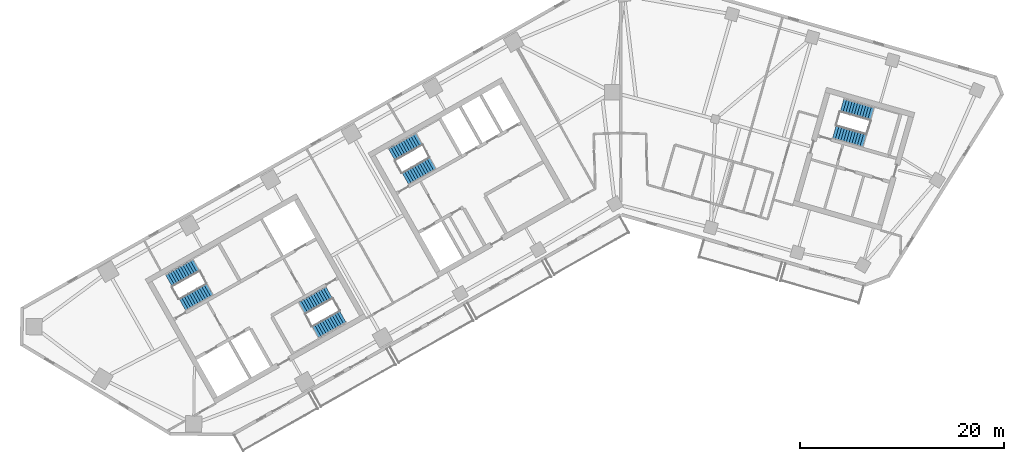
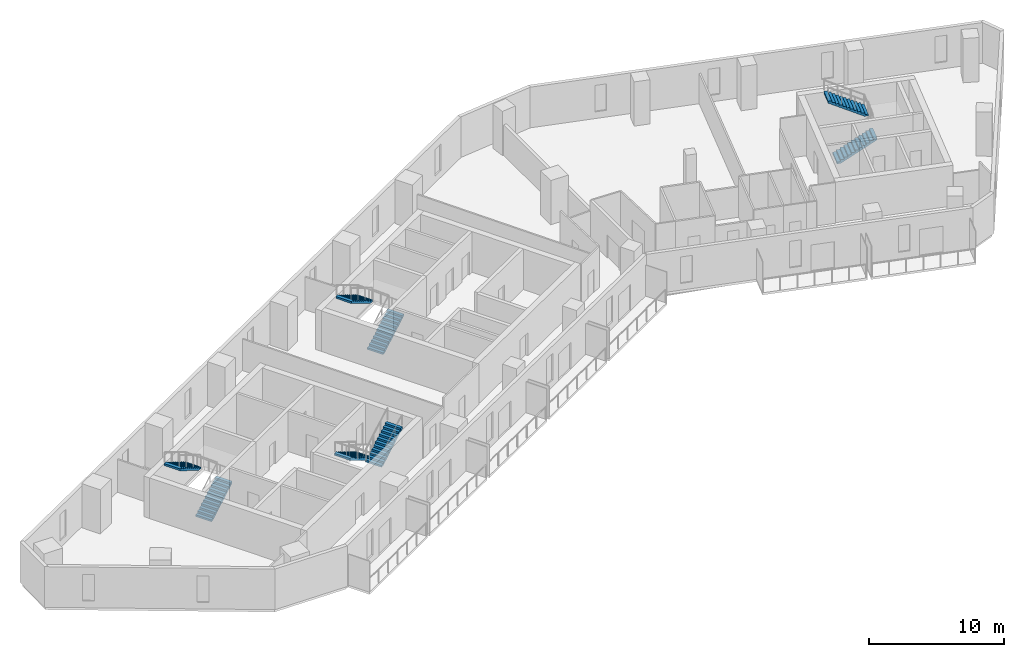
# One storey, part 7 of 9: 8 stair flights, 4 elements without a shape of their own.
"""IFC4 building model written with IfcOpenShell, lengths in metres."""

import ifcopenshell
import ifcopenshell.guid

model = None  # the IFC model being written
_history = None  # IfcOwnerHistory: only IFC2X3 demands one
_inside = {}  # id of a spatial element -> (the spatial element, [elements in it])
_under = {}  # id of a project, library or spatial element -> (it, [spatial elements below it])
_declared = {}  # id of a project -> (the project, [libraries it declares])
_typed = {}  # id of a type object -> (the type object, [elements of that type])
_made_of = {}  # id of a material, layer set ... -> (it, [elements and type objects made of it])


def new_model(schema):
    """Start an empty IFC model of exactly this schema.

    Asked for "IFC4X3", IfcOpenShell would pick the latest addendum, in which some entities
    have other attributes; the version numbers below select the first issue.
    IFC2X3 requires an IfcOwnerHistory on every rooted entity: one is made here for all.
    """
    global model, _history
    if schema == "IFC4X3":
        model = ifcopenshell.file(schema_version=(4, 3, 0, 0))
    else:
        model = ifcopenshell.file(schema=schema)
    _inside.clear()
    _under.clear()
    _declared.clear()
    _typed.clear()
    _made_of.clear()
    _history = None
    if model.schema == "IFC2X3":
        org = make("IfcOrganization", Name="unknown")
        user = make(
            "IfcPersonAndOrganization",
            ThePerson=make("IfcPerson", FamilyName="unknown"),
            TheOrganization=org,
        )
        app = make(
            "IfcApplication",
            ApplicationDeveloper=org,
            Version="unknown",
            ApplicationFullName="unknown",
            ApplicationIdentifier="unknown",
        )
        _history = make(
            "IfcOwnerHistory",
            OwningUser=user,
            OwningApplication=app,
            ChangeAction="ADDED",
            CreationDate=0,
        )
    return model


def make(cls, **values):
    """One entity of the class cls with the attributes given. An attribute that is None is left unset."""
    return model.create_entity(
        cls, **{name: value for name, value in values.items() if value is not None}
    )


def rooted(cls, **values):
    """An entity with a GlobalId (a new one), such as an element, a storey or a relation."""
    return make(cls, GlobalId=ifcopenshell.guid.new(), OwnerHistory=_history, **values)


def si_unit(unit_type, name, prefix=None):
    """IfcSIUnit, for example si_unit("LENGTHUNIT", "METRE", prefix="MILLI")."""
    return make("IfcSIUnit", UnitType=unit_type, Prefix=prefix, Name=name)


def assignment(units):
    """IfcUnitAssignment: the units of a project."""
    return None if units is None else make("IfcUnitAssignment", Units=units)


def point(xyz):
    """IfcCartesianPoint."""
    return None if xyz is None else make("IfcCartesianPoint", Coordinates=xyz)


def direction(xyz):
    """IfcDirection."""
    return None if xyz is None else make("IfcDirection", DirectionRatios=xyz)


def frame(location, z_axis=None, x_axis=None):
    """IfcAxis2Placement3D, a coordinate frame: its origin and axes. An axis left out is left unset."""
    return make(
        "IfcAxis2Placement3D",
        Location=point(location),
        Axis=direction(z_axis),
        RefDirection=direction(x_axis),
    )


def origin():
    """The frame at (0, 0, 0) with its axes left unset."""
    return frame((0.0, 0.0, 0.0))


def place(relative_to, where):
    """IfcLocalPlacement: puts the frame where relative to a parent placement (None: the world)."""
    return make(
        "IfcLocalPlacement", PlacementRelTo=relative_to, RelativePlacement=where
    )


def context(
    kind, dimensions, precision=None, world=None, true_north=None, identifier=None
):
    """IfcGeometricRepresentationContext, for example the 3D "Model" context."""
    return make(
        "IfcGeometricRepresentationContext",
        ContextIdentifier=identifier,
        ContextType=kind,
        CoordinateSpaceDimension=dimensions,
        Precision=precision,
        WorldCoordinateSystem=world,
        TrueNorth=true_north,
    )


def subcontext(parent, identifier, kind, view, scale=None):
    """IfcGeometricRepresentationSubContext, for example "Body" below "Model"."""
    return make(
        "IfcGeometricRepresentationSubContext",
        ContextIdentifier=identifier,
        ContextType=kind,
        ParentContext=parent,
        TargetScale=scale,
        TargetView=view,
    )


def project(units=None, contexts=None):
    """IfcProject with its units and contexts."""
    return rooted(
        "IfcProject",
        Name="project",
        RepresentationContexts=contexts,
        UnitsInContext=assignment(units),
    )


def spatial(cls, under=None, at=None, **own):
    """A site, building, storey or space (cls), placed at a placement, below another one or the project."""
    s = rooted(cls, ObjectPlacement=at, **own)
    if under is not None:
        _under.setdefault(under.id(), (under, []))[1].append(s)
    return s


def polyline(points):
    """IfcPolyline through the points."""
    return make("IfcPolyline", Points=[point(p) for p in points])


def outline(outer, holes=None, kind="AREA"):
    """IfcArbitraryClosedProfileDef: a profile drawn as a closed curve; with holes, ...WithVoids."""
    if holes is None:
        return make("IfcArbitraryClosedProfileDef", ProfileType=kind, OuterCurve=outer)
    return make(
        "IfcArbitraryProfileDefWithVoids",
        ProfileType=kind,
        OuterCurve=outer,
        InnerCurves=holes,
    )


def extrude(swept, where, along, depth):
    """IfcExtrudedAreaSolid: the profile swept, set in the frame where, extruded along a direction by depth."""
    return make(
        "IfcExtrudedAreaSolid",
        SweptArea=swept,
        Position=where,
        ExtrudedDirection=direction(along),
        Depth=depth,
    )


def shape(context_of_items, identifier, shape_type, items):
    """IfcShapeRepresentation: the items that make up one representation, for example the "Body"."""
    return make(
        "IfcShapeRepresentation",
        ContextOfItems=context_of_items,
        RepresentationIdentifier=identifier,
        RepresentationType=shape_type,
        Items=items,
    )


def material(Name=None, Category=None):
    """IfcMaterial."""
    return make("IfcMaterial", Name=Name, Category=Category)


def made_of(thing, what):
    """Note that an element or type object is made of a material, layer set ...; save() writes the relation."""
    if what is not None:
        _made_of.setdefault(what.id(), (what, []))[1].append(thing)
    return thing


def type_object(cls, material=None, **own):
    """A type object (cls), such as IfcWallType, which elements share."""
    return made_of(rooted(cls, **own), material)


def element(
    cls,
    number,
    at=None,
    inside=None,
    cuts=None,
    type_object=None,
    material=None,
    context=None,
    identifier="Body",
    shape_type=None,
    held_by="IfcProductDefinitionShape",
    body=None,
    shapes=None,
    **own,
):
    """One element of the class cls, such as IfcWall. Its Tag is "e" and its number.

    at: its placement. inside: the storey or other place that contains it. cuts: it is an
    opening in that element (IfcRelVoidsElement). A single representation is given by context,
    identifier, shape_type and body (its items); several are given by shapes. held_by: the class
    of the entity that holds the representations. save() writes the other relations.
    """
    e = rooted(cls, Tag="e%d" % number, ObjectPlacement=at, **own)
    if body is not None:
        shapes = [shape(context, identifier, shape_type, body)]
    if shapes is not None:
        e.Representation = make(held_by, Representations=shapes)
    if inside is not None:
        _inside.setdefault(inside.id(), (inside, []))[1].append(e)
    if cuts is not None:
        rooted(
            "IfcRelVoidsElement", RelatingBuildingElement=cuts, RelatedOpeningElement=e
        )
    if type_object is not None:
        _typed.setdefault(type_object.id(), (type_object, []))[1].append(e)
    return made_of(e, material)


def aggregate(whole, parts):
    """IfcRelAggregates: a whole, such as a stair, and the parts it consists of."""
    return rooted("IfcRelAggregates", RelatingObject=whole, RelatedObjects=parts)


def save(model, path):
    """Write the relations noted so far, then the file.

    IfcRelAggregates (storeys below a building ...), IfcRelContainedInSpatialStructure (elements
    in a storey), IfcRelDefinesByType, IfcRelAssociatesMaterial and IfcRelDeclares: one each for
    every whole, place, type object, material and project.
    """
    for whole, parts in _under.values():
        aggregate(whole, parts)
    for where, things in _inside.values():
        rooted(
            "IfcRelContainedInSpatialStructure",
            RelatedElements=things,
            RelatingStructure=where,
        )
    for kind, things in _typed.values():
        rooted("IfcRelDefinesByType", RelatedObjects=things, RelatingType=kind)
    for what, things in _made_of.values():
        rooted("IfcRelAssociatesMaterial", RelatedObjects=things, RelatingMaterial=what)
    for by, libraries in _declared.values():
        rooted("IfcRelDeclares", RelatingContext=by, RelatedDefinitions=libraries)
    model.write(path)


model = new_model("IFC4")

# Units and contexts
model_context = context("Model", 3, precision=1e-05, world=origin(), true_north=direction((0.0, 1.0)))
body_context = subcontext(model_context, "Body", "Model", "MODEL_VIEW")
ifc_project = project(units=[si_unit("LENGTHUNIT", "METRE"), si_unit("AREAUNIT", "SQUARE_METRE"), si_unit("VOLUMEUNIT", "CUBIC_METRE"), si_unit("PLANEANGLEUNIT", "RADIAN"), si_unit("MASSUNIT", "GRAM", prefix="KILO")], contexts=[model_context])

# Site, building, storey
site_placement = place(None, origin())
site = spatial("IfcSite", under=ifc_project, at=site_placement, CompositionType="ELEMENT")
building_placement = place(site_placement, origin())
building = spatial("IfcBuilding", under=site, at=building_placement, Name="Binnacle Exchange Tower", CompositionType="ELEMENT")
storey_placement = place(building_placement, frame((0.0, 0.0, 158.89990234375)))
storey = spatial("IfcBuildingStorey", under=building, at=storey_placement, Name="L33", CompositionType="ELEMENT", Elevation=158.89990234375)

# Stair, stair flights
ifc_material = material(Name="Concrete C35/45", Category="concrete")
stair_type = type_object("IfcStairType", Name="STAIR 24 RISERS 167", PredefinedType="HALF_TURN_STAIR", material=ifc_material)
stair_1_placement = place(storey_placement, origin())
stair_1 = element("IfcStair", 1, at=stair_1_placement, inside=storey, type_object=stair_type, Name="L33 Escape stair A1", PredefinedType="HALF_TURN_STAIR")
stair_flight_type = type_object("IfcStairFlightType", Name="STAIR FLIGHT 167X280", PredefinedType="STRAIGHT", material=ifc_material)
stair_flight_1_placement = place(storey_placement, frame((-42.9541015625, 39.17333984375, 0.0), z_axis=(0.0, 0.0, 1.0), x_axis=(0.870355584213, 0.492423757581, 0.0)))
stair_flight_1 = element("IfcStairFlight", 2, at=stair_flight_1_placement, type_object=stair_flight_type, Name="STA1 flight 1", NumberOfRisers=12, NumberOfTreads=11, PredefinedType="STRAIGHT", RiserHeight=0.166666667, TreadLength=0.28, context=body_context, shape_type="SweptSolid", body=[
    extrude(outline(polyline([(0.0, 0.0), (0.0, 0.166748046875), (0.280029296875, 0.166748046875), (0.280029296875, 0.333251953125), (0.56005859375, 0.333251953125), (0.56005859375, 0.5), (0.840087890625, 0.5), (0.840087890625, 0.666748046875), (1.1201171875, 0.666748046875), (1.1201171875, 0.833251953125), (1.39990234375, 0.833251953125), (1.39990234375, 1.0), (1.679931640625, 1.0), (1.679931640625, 1.166748046875), (1.9599609375, 1.166748046875), (1.9599609375, 1.333251953125), (2.239990234375, 1.333251953125), (2.239990234375, 1.5), (2.52001953125, 1.5), (2.52001953125, 1.666748046875), (2.800048828125, 1.666748046875), (2.800048828125, 1.833251953125), (3.080078125, 1.833251953125), (3.080078125, 2.0), (3.080078125, 1.658935546875), (0.29296875, 0.0), (0.0, 0.0)])), frame((0.0, 0.675048828125, 0.0), z_axis=(0.0, -1.0, 0.0), x_axis=(1.0, 0.0, 0.0)), (0.0, 0.0, 1.0), 1.35009765625),
])
stair_flight_2_placement = place(storey_placement, frame((-41.602783203125, 43.0400390625, 2.0), z_axis=(0.0, 0.0, 1.0), x_axis=(-0.870355584213, -0.492423757581, 0.0)))
stair_flight_2 = element("IfcStairFlight", 3, at=stair_flight_2_placement, type_object=stair_flight_type, Name="STA1 flight 2", NumberOfRisers=12, NumberOfTreads=11, PredefinedType="STRAIGHT", RiserHeight=0.166666667, TreadLength=0.28, context=body_context, shape_type="SweptSolid", body=[
    extrude(outline(polyline([(0.0, 0.0), (0.0, 0.166748046875), (0.280029296875, 0.166748046875), (0.280029296875, 0.333251953125), (0.56005859375, 0.333251953125), (0.56005859375, 0.5), (0.840087890625, 0.5), (0.840087890625, 0.666748046875), (1.1201171875, 0.666748046875), (1.1201171875, 0.833251953125), (1.39990234375, 0.833251953125), (1.39990234375, 1.0), (1.679931640625, 1.0), (1.679931640625, 1.166748046875), (1.9599609375, 1.166748046875), (1.9599609375, 1.333251953125), (2.239990234375, 1.333251953125), (2.239990234375, 1.5), (2.52001953125, 1.5), (2.52001953125, 1.666748046875), (2.800048828125, 1.666748046875), (2.800048828125, 1.833251953125), (3.080078125, 1.833251953125), (3.080078125, 2.0), (3.080078125, 1.658935546875), (0.29296875, 0.0), (0.0, 0.0)])), frame((0.0, 0.675048828125, 0.0), z_axis=(0.0, -1.0, 0.0), x_axis=(1.0, 0.0, 0.0)), (0.0, 0.0, 1.0), 1.35009765625),
])
aggregate(stair_1, [stair_flight_1, stair_flight_2])

stair_2_placement = place(storey_placement, origin())
stair_2 = element("IfcStair", 4, at=stair_2_placement, inside=storey, type_object=stair_type, Name="L33 Escape stair A2", PredefinedType="HALF_TURN_STAIR")
stair_flight_3_placement = place(storey_placement, frame((-28.5732421875, 40.3583984375, 0.0), z_axis=(0.0, 0.0, 1.0), x_axis=(-0.870355584213, -0.492423757581, 0.0)))
stair_flight_3 = element("IfcStairFlight", 5, at=stair_flight_3_placement, type_object=stair_flight_type, Name="STA2 flight 1", NumberOfRisers=12, NumberOfTreads=11, PredefinedType="STRAIGHT", RiserHeight=0.166666667, TreadLength=0.28, context=body_context, shape_type="SweptSolid", body=[
    extrude(outline(polyline([(0.0, 0.0), (0.0, 0.166748046875), (0.280029296875, 0.166748046875), (0.280029296875, 0.333251953125), (0.56005859375, 0.333251953125), (0.56005859375, 0.5), (0.840087890625, 0.5), (0.840087890625, 0.666748046875), (1.1201171875, 0.666748046875), (1.1201171875, 0.833251953125), (1.39990234375, 0.833251953125), (1.39990234375, 1.0), (1.679931640625, 1.0), (1.679931640625, 1.166748046875), (1.9599609375, 1.166748046875), (1.9599609375, 1.333251953125), (2.239990234375, 1.333251953125), (2.239990234375, 1.5), (2.52001953125, 1.5), (2.52001953125, 1.666748046875), (2.800048828125, 1.666748046875), (2.800048828125, 1.833251953125), (3.080078125, 1.833251953125), (3.080078125, 2.0), (3.080078125, 1.658935546875), (0.29296875, 0.0), (0.0, 0.0)])), frame((0.0, 0.675048828125, 0.0), z_axis=(0.0, -1.0, 0.0), x_axis=(1.0, 0.0, 0.0)), (0.0, 0.0, 1.0), 1.35009765625),
])
stair_flight_4_placement = place(storey_placement, frame((-29.92431640625, 36.49169921875, 2.0), z_axis=(0.0, 0.0, 1.0), x_axis=(0.870355584213, 0.492423757581, 0.0)))
stair_flight_4 = element("IfcStairFlight", 6, at=stair_flight_4_placement, type_object=stair_flight_type, Name="STA2 flight 2", NumberOfRisers=12, NumberOfTreads=11, PredefinedType="STRAIGHT", RiserHeight=0.166666667, TreadLength=0.28, context=body_context, shape_type="SweptSolid", body=[
    extrude(outline(polyline([(0.0, 0.0), (0.0, 0.166748046875), (0.280029296875, 0.166748046875), (0.280029296875, 0.333251953125), (0.56005859375, 0.333251953125), (0.56005859375, 0.5), (0.840087890625, 0.5), (0.840087890625, 0.666748046875), (1.1201171875, 0.666748046875), (1.1201171875, 0.833251953125), (1.39990234375, 0.833251953125), (1.39990234375, 1.0), (1.679931640625, 1.0), (1.679931640625, 1.166748046875), (1.9599609375, 1.166748046875), (1.9599609375, 1.333251953125), (2.239990234375, 1.333251953125), (2.239990234375, 1.5), (2.52001953125, 1.5), (2.52001953125, 1.666748046875), (2.800048828125, 1.666748046875), (2.800048828125, 1.833251953125), (3.080078125, 1.833251953125), (3.080078125, 2.0), (3.080078125, 1.658935546875), (0.29296875, 0.0), (0.0, 0.0)])), frame((0.0, 0.675048828125, 0.0), z_axis=(0.0, -1.0, 0.0), x_axis=(1.0, 0.0, 0.0)), (0.0, 0.0, 1.0), 1.35009765625),
])
aggregate(stair_2, [stair_flight_3, stair_flight_4])

stair_3_placement = place(storey_placement, origin())
stair_3 = element("IfcStair", 7, at=stair_3_placement, inside=storey, type_object=stair_type, Name="L33 Escape stair C1", PredefinedType="HALF_TURN_STAIR")
stair_flight_5_placement = place(storey_placement, frame((-21.115966796875, 51.528564453125, 0.0), z_axis=(0.0, 0.0, 1.0), x_axis=(0.870355584213, 0.492423757581, 0.0)))
stair_flight_5 = element("IfcStairFlight", 8, at=stair_flight_5_placement, type_object=stair_flight_type, Name="STC1 flight 1", NumberOfRisers=12, NumberOfTreads=11, PredefinedType="STRAIGHT", RiserHeight=0.166666667, TreadLength=0.28, context=body_context, shape_type="SweptSolid", body=[
    extrude(outline(polyline([(0.0, 0.0), (0.0, 0.166748046875), (0.280029296875, 0.166748046875), (0.280029296875, 0.333251953125), (0.56005859375, 0.333251953125), (0.56005859375, 0.5), (0.840087890625, 0.5), (0.840087890625, 0.666748046875), (1.1201171875, 0.666748046875), (1.1201171875, 0.833251953125), (1.39990234375, 0.833251953125), (1.39990234375, 1.0), (1.679931640625, 1.0), (1.679931640625, 1.166748046875), (1.9599609375, 1.166748046875), (1.9599609375, 1.333251953125), (2.239990234375, 1.333251953125), (2.239990234375, 1.5), (2.52001953125, 1.5), (2.52001953125, 1.666748046875), (2.800048828125, 1.666748046875), (2.800048828125, 1.833251953125), (3.080078125, 1.833251953125), (3.080078125, 2.0), (3.080078125, 1.658935546875), (0.29296875, 0.0), (0.0, 0.0)])), frame((0.0, 0.675048828125, 0.0), z_axis=(0.0, -1.0, 0.0), x_axis=(1.0, 0.0, 0.0)), (0.0, 0.0, 1.0), 1.35009765625),
])
stair_flight_6_placement = place(storey_placement, frame((-19.764892578125, 55.395263671875, 2.0), z_axis=(0.0, 0.0, 1.0), x_axis=(-0.870355584213, -0.492423757581, 0.0)))
stair_flight_6 = element("IfcStairFlight", 9, at=stair_flight_6_placement, type_object=stair_flight_type, Name="STC1 flight 2", NumberOfRisers=12, NumberOfTreads=11, PredefinedType="STRAIGHT", RiserHeight=0.166666667, TreadLength=0.28, context=body_context, shape_type="SweptSolid", body=[
    extrude(outline(polyline([(0.0, 0.0), (0.0, 0.166748046875), (0.280029296875, 0.166748046875), (0.280029296875, 0.333251953125), (0.56005859375, 0.333251953125), (0.56005859375, 0.5), (0.840087890625, 0.5), (0.840087890625, 0.666748046875), (1.1201171875, 0.666748046875), (1.1201171875, 0.833251953125), (1.39990234375, 0.833251953125), (1.39990234375, 1.0), (1.679931640625, 1.0), (1.679931640625, 1.166748046875), (1.9599609375, 1.166748046875), (1.9599609375, 1.333251953125), (2.239990234375, 1.333251953125), (2.239990234375, 1.5), (2.52001953125, 1.5), (2.52001953125, 1.666748046875), (2.800048828125, 1.666748046875), (2.800048828125, 1.833251953125), (3.080078125, 1.833251953125), (3.080078125, 2.0), (3.080078125, 1.658935546875), (0.29296875, 0.0), (0.0, 0.0)])), frame((0.0, 0.675048828125, 0.0), z_axis=(0.0, -1.0, 0.0), x_axis=(1.0, 0.0, 0.0)), (0.0, 0.0, 1.0), 1.35009765625),
])
aggregate(stair_3, [stair_flight_5, stair_flight_6])

stair_4_placement = place(storey_placement, origin())
stair_4 = element("IfcStair", 10, at=stair_4_placement, inside=storey, type_object=stair_type, Name="L33 Escape stair D1", PredefinedType="HALF_TURN_STAIR")
stair_flight_7_placement = place(storey_placement, frame((20.914306640625, 56.109619140625, 0.0), z_axis=(0.0, 0.0, 1.0), x_axis=(0.961261811397, -0.275636953165, 0.0)))
stair_flight_7 = element("IfcStairFlight", 11, at=stair_flight_7_placement, type_object=stair_flight_type, Name="STD1 flight 1", NumberOfRisers=12, NumberOfTreads=11, PredefinedType="STRAIGHT", RiserHeight=0.166666667, TreadLength=0.28, context=body_context, shape_type="SweptSolid", body=[
    extrude(outline(polyline([(0.0, 0.0), (0.0, 0.166748046875), (0.280029296875, 0.166748046875), (0.280029296875, 0.333251953125), (0.56005859375, 0.333251953125), (0.56005859375, 0.5), (0.840087890625, 0.5), (0.840087890625, 0.666748046875), (1.1201171875, 0.666748046875), (1.1201171875, 0.833251953125), (1.39990234375, 0.833251953125), (1.39990234375, 1.0), (1.679931640625, 1.0), (1.679931640625, 1.166748046875), (1.9599609375, 1.166748046875), (1.9599609375, 1.333251953125), (2.239990234375, 1.333251953125), (2.239990234375, 1.5), (2.52001953125, 1.5), (2.52001953125, 1.666748046875), (2.800048828125, 1.666748046875), (2.800048828125, 1.833251953125), (3.080078125, 1.833251953125), (3.080078125, 2.0), (3.080078125, 1.658935546875), (0.29296875, 0.0), (0.0, 0.0)])), frame((0.0, 0.675048828125, 0.0), z_axis=(0.0, -1.0, 0.0), x_axis=(1.0, 0.0, 0.0)), (0.0, 0.0, 1.0), 1.35009765625),
])
stair_flight_8_placement = place(storey_placement, frame((24.619384765625, 57.85595703125, 2.0), z_axis=(0.0, 0.0, 1.0), x_axis=(-0.961261811397, 0.275636953165, 0.0)))
stair_flight_8 = element("IfcStairFlight", 12, at=stair_flight_8_placement, type_object=stair_flight_type, Name="STD1 flight 2", NumberOfRisers=12, NumberOfTreads=11, PredefinedType="STRAIGHT", RiserHeight=0.166666667, TreadLength=0.28, context=body_context, shape_type="SweptSolid", body=[
    extrude(outline(polyline([(0.0, 0.0), (0.0, 0.166748046875), (0.280029296875, 0.166748046875), (0.280029296875, 0.333251953125), (0.56005859375, 0.333251953125), (0.56005859375, 0.5), (0.840087890625, 0.5), (0.840087890625, 0.666748046875), (1.1201171875, 0.666748046875), (1.1201171875, 0.833251953125), (1.39990234375, 0.833251953125), (1.39990234375, 1.0), (1.679931640625, 1.0), (1.679931640625, 1.166748046875), (1.9599609375, 1.166748046875), (1.9599609375, 1.333251953125), (2.239990234375, 1.333251953125), (2.239990234375, 1.5), (2.52001953125, 1.5), (2.52001953125, 1.666748046875), (2.800048828125, 1.666748046875), (2.800048828125, 1.833251953125), (3.080078125, 1.833251953125), (3.080078125, 2.0), (3.080078125, 1.658935546875), (0.29296875, 0.0), (0.0, 0.0)])), frame((0.0, 0.675048828125, 0.0), z_axis=(0.0, -1.0, 0.0), x_axis=(1.0, 0.0, 0.0)), (0.0, 0.0, 1.0), 1.35009765625),
])
aggregate(stair_4, [stair_flight_7, stair_flight_8])

save(model, "model.ifc")
